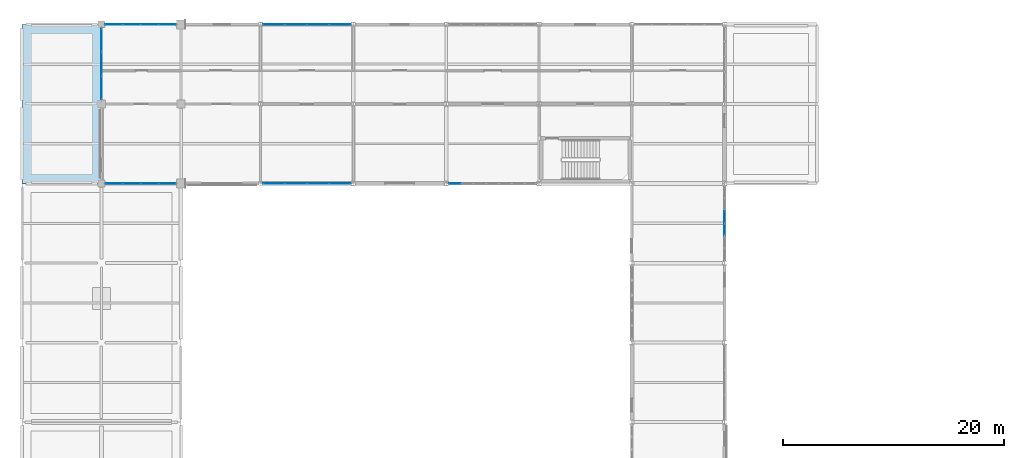
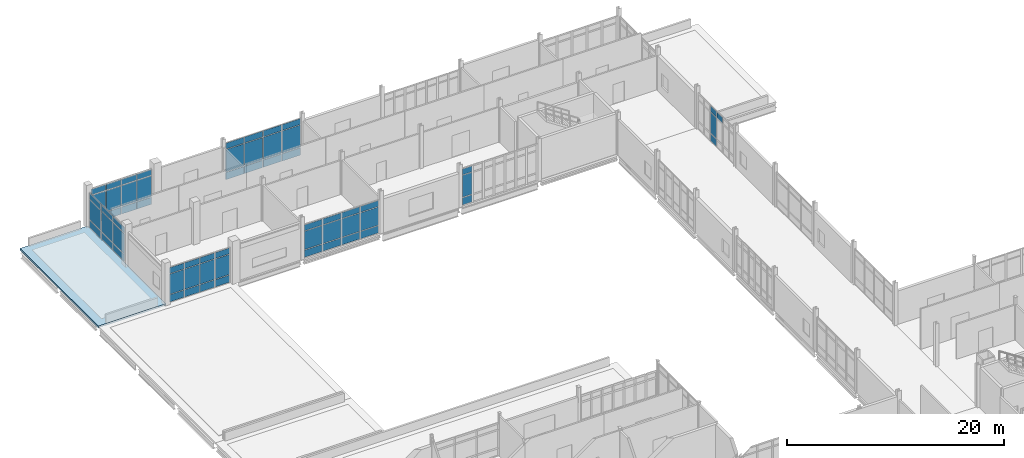
# One storey, part 128 of 186: 64 plates, 1 slab, 7 elements without a shape of their own.
"""IFC4 building model written with IfcOpenShell, lengths in metres."""

import ifcopenshell
import ifcopenshell.guid

model = None  # the IFC model being written
_history = None  # IfcOwnerHistory: only IFC2X3 demands one
_inside = {}  # id of a spatial element -> (the spatial element, [elements in it])
_under = {}  # id of a project, library or spatial element -> (it, [spatial elements below it])
_declared = {}  # id of a project -> (the project, [libraries it declares])
_typed = {}  # id of a type object -> (the type object, [elements of that type])
_made_of = {}  # id of a material, layer set ... -> (it, [elements and type objects made of it])


def new_model(schema):
    """Start an empty IFC model of exactly this schema.

    Asked for "IFC4X3", IfcOpenShell would pick the latest addendum, in which some entities
    have other attributes; the version numbers below select the first issue.
    IFC2X3 requires an IfcOwnerHistory on every rooted entity: one is made here for all.
    """
    global model, _history
    if schema == "IFC4X3":
        model = ifcopenshell.file(schema_version=(4, 3, 0, 0))
    else:
        model = ifcopenshell.file(schema=schema)
    _inside.clear()
    _under.clear()
    _declared.clear()
    _typed.clear()
    _made_of.clear()
    _history = None
    if model.schema == "IFC2X3":
        org = make("IfcOrganization", Name="unknown")
        user = make(
            "IfcPersonAndOrganization",
            ThePerson=make("IfcPerson", FamilyName="unknown"),
            TheOrganization=org,
        )
        app = make(
            "IfcApplication",
            ApplicationDeveloper=org,
            Version="unknown",
            ApplicationFullName="unknown",
            ApplicationIdentifier="unknown",
        )
        _history = make(
            "IfcOwnerHistory",
            OwningUser=user,
            OwningApplication=app,
            ChangeAction="ADDED",
            CreationDate=0,
        )
    return model


def make(cls, **values):
    """One entity of the class cls with the attributes given. An attribute that is None is left unset."""
    return model.create_entity(
        cls, **{name: value for name, value in values.items() if value is not None}
    )


def rooted(cls, **values):
    """An entity with a GlobalId (a new one), such as an element, a storey or a relation."""
    return make(cls, GlobalId=ifcopenshell.guid.new(), OwnerHistory=_history, **values)


def si_unit(unit_type, name, prefix=None):
    """IfcSIUnit, for example si_unit("LENGTHUNIT", "METRE", prefix="MILLI")."""
    return make("IfcSIUnit", UnitType=unit_type, Prefix=prefix, Name=name)


def assignment(units):
    """IfcUnitAssignment: the units of a project."""
    return None if units is None else make("IfcUnitAssignment", Units=units)


def point(xyz):
    """IfcCartesianPoint."""
    return None if xyz is None else make("IfcCartesianPoint", Coordinates=xyz)


def direction(xyz):
    """IfcDirection."""
    return None if xyz is None else make("IfcDirection", DirectionRatios=xyz)


def frame(location, z_axis=None, x_axis=None):
    """IfcAxis2Placement3D, a coordinate frame: its origin and axes. An axis left out is left unset."""
    return make(
        "IfcAxis2Placement3D",
        Location=point(location),
        Axis=direction(z_axis),
        RefDirection=direction(x_axis),
    )


def frame_2d(location, x_axis=None):
    """IfcAxis2Placement2D, a coordinate frame in the plane: its origin and x axis."""
    return make(
        "IfcAxis2Placement2D", Location=point(location), RefDirection=direction(x_axis)
    )


def origin():
    """The frame at (0, 0, 0) with its axes left unset."""
    return frame((0.0, 0.0, 0.0))


def origin_2d():
    """The frame at (0, 0) in the plane with its x axis left unset."""
    return frame_2d((0.0, 0.0))


def place(relative_to, where):
    """IfcLocalPlacement: puts the frame where relative to a parent placement (None: the world)."""
    return make(
        "IfcLocalPlacement", PlacementRelTo=relative_to, RelativePlacement=where
    )


def context(
    kind, dimensions, precision=None, world=None, true_north=None, identifier=None
):
    """IfcGeometricRepresentationContext, for example the 3D "Model" context."""
    return make(
        "IfcGeometricRepresentationContext",
        ContextIdentifier=identifier,
        ContextType=kind,
        CoordinateSpaceDimension=dimensions,
        Precision=precision,
        WorldCoordinateSystem=world,
        TrueNorth=true_north,
    )


def subcontext(parent, identifier, kind, view, scale=None):
    """IfcGeometricRepresentationSubContext, for example "Body" below "Model"."""
    return make(
        "IfcGeometricRepresentationSubContext",
        ContextIdentifier=identifier,
        ContextType=kind,
        ParentContext=parent,
        TargetScale=scale,
        TargetView=view,
    )


def project(units=None, contexts=None):
    """IfcProject with its units and contexts."""
    return rooted(
        "IfcProject",
        Name="project",
        RepresentationContexts=contexts,
        UnitsInContext=assignment(units),
    )


def spatial(cls, under=None, at=None, **own):
    """A site, building, storey or space (cls), placed at a placement, below another one or the project."""
    s = rooted(cls, ObjectPlacement=at, **own)
    if under is not None:
        _under.setdefault(under.id(), (under, []))[1].append(s)
    return s


def polyline(points):
    """IfcPolyline through the points."""
    return make("IfcPolyline", Points=[point(p) for p in points])


def profile(cls, at=None, kind="AREA", **sizes):
    """A parametric profile (cls). Its sizes go by their IFC names, for example OverallWidth=200.0."""
    return make(cls, ProfileType=kind, Position=at, **sizes)


def rectangle(**sizes):
    """IfcRectangleProfileDef."""
    return profile("IfcRectangleProfileDef", **sizes)


def outline(outer, holes=None, kind="AREA"):
    """IfcArbitraryClosedProfileDef: a profile drawn as a closed curve; with holes, ...WithVoids."""
    if holes is None:
        return make("IfcArbitraryClosedProfileDef", ProfileType=kind, OuterCurve=outer)
    return make(
        "IfcArbitraryProfileDefWithVoids",
        ProfileType=kind,
        OuterCurve=outer,
        InnerCurves=holes,
    )


def extrude(swept, where, along, depth):
    """IfcExtrudedAreaSolid: the profile swept, set in the frame where, extruded along a direction by depth."""
    return make(
        "IfcExtrudedAreaSolid",
        SweptArea=swept,
        Position=where,
        ExtrudedDirection=direction(along),
        Depth=depth,
    )


def shape(context_of_items, identifier, shape_type, items):
    """IfcShapeRepresentation: the items that make up one representation, for example the "Body"."""
    return make(
        "IfcShapeRepresentation",
        ContextOfItems=context_of_items,
        RepresentationIdentifier=identifier,
        RepresentationType=shape_type,
        Items=items,
    )


def material(Name=None, Category=None):
    """IfcMaterial."""
    return make("IfcMaterial", Name=Name, Category=Category)


def layer(
    of_material, thickness, ventilated=None, Name=None, Category=None, Priority=None
):
    """IfcMaterialLayer: one layer of a wall or slab, of a material (None: an air gap)."""
    return make(
        "IfcMaterialLayer",
        Material=of_material,
        LayerThickness=thickness,
        IsVentilated=ventilated,
        Name=Name,
        Category=Category,
        Priority=Priority,
    )


def layer_set(layers, Name=None):
    """IfcMaterialLayerSet."""
    return make("IfcMaterialLayerSet", MaterialLayers=layers, LayerSetName=Name)


def made_of(thing, what):
    """Note that an element or type object is made of a material, layer set ...; save() writes the relation."""
    if what is not None:
        _made_of.setdefault(what.id(), (what, []))[1].append(thing)
    return thing


def type_object(cls, material=None, **own):
    """A type object (cls), such as IfcWallType, which elements share."""
    return made_of(rooted(cls, **own), material)


def element(
    cls,
    number,
    at=None,
    inside=None,
    cuts=None,
    type_object=None,
    material=None,
    context=None,
    identifier="Body",
    shape_type=None,
    held_by="IfcProductDefinitionShape",
    body=None,
    shapes=None,
    **own,
):
    """One element of the class cls, such as IfcWall. Its Tag is "e" and its number.

    at: its placement. inside: the storey or other place that contains it. cuts: it is an
    opening in that element (IfcRelVoidsElement). A single representation is given by context,
    identifier, shape_type and body (its items); several are given by shapes. held_by: the class
    of the entity that holds the representations. save() writes the other relations.
    """
    e = rooted(cls, Tag="e%d" % number, ObjectPlacement=at, **own)
    if body is not None:
        shapes = [shape(context, identifier, shape_type, body)]
    if shapes is not None:
        e.Representation = make(held_by, Representations=shapes)
    if inside is not None:
        _inside.setdefault(inside.id(), (inside, []))[1].append(e)
    if cuts is not None:
        rooted(
            "IfcRelVoidsElement", RelatingBuildingElement=cuts, RelatedOpeningElement=e
        )
    if type_object is not None:
        _typed.setdefault(type_object.id(), (type_object, []))[1].append(e)
    return made_of(e, material)


def aggregate(whole, parts):
    """IfcRelAggregates: a whole, such as a stair, and the parts it consists of."""
    return rooted("IfcRelAggregates", RelatingObject=whole, RelatedObjects=parts)


def save(model, path):
    """Write the relations noted so far, then the file.

    IfcRelAggregates (storeys below a building ...), IfcRelContainedInSpatialStructure (elements
    in a storey), IfcRelDefinesByType, IfcRelAssociatesMaterial and IfcRelDeclares: one each for
    every whole, place, type object, material and project.
    """
    for whole, parts in _under.values():
        aggregate(whole, parts)
    for where, things in _inside.values():
        rooted(
            "IfcRelContainedInSpatialStructure",
            RelatedElements=things,
            RelatingStructure=where,
        )
    for kind, things in _typed.values():
        rooted("IfcRelDefinesByType", RelatedObjects=things, RelatingType=kind)
    for what, things in _made_of.values():
        rooted("IfcRelAssociatesMaterial", RelatedObjects=things, RelatingMaterial=what)
    for by, libraries in _declared.values():
        rooted("IfcRelDeclares", RelatingContext=by, RelatedDefinitions=libraries)
    model.write(path)


model = new_model("IFC4")

# Units and contexts
model_context = context("Model", 3, precision=1e-05, world=origin(), true_north=direction((0.0, 1.0)))
body_context = subcontext(model_context, "Body", "Model", "MODEL_VIEW")
ifc_project = project(units=[si_unit("LENGTHUNIT", "METRE"), si_unit("AREAUNIT", "SQUARE_METRE"), si_unit("VOLUMEUNIT", "CUBIC_METRE"), si_unit("PLANEANGLEUNIT", "RADIAN"), si_unit("MASSUNIT", "GRAM", prefix="KILO")], contexts=[model_context])

# Site, building, storey
site_placement = place(None, origin())
site = spatial("IfcSite", under=ifc_project, at=site_placement, CompositionType="ELEMENT")
building_placement = place(site_placement, origin())
building = spatial("IfcBuilding", under=site, at=building_placement, Name="Calvrana Isthmian Art Gallery", CompositionType="ELEMENT")
storey_placement = place(building_placement, frame((0.0, 0.0, 5.39990234375)))
storey = spatial("IfcBuildingStorey", under=building, at=storey_placement, Name="L01", CompositionType="ELEMENT", Elevation=5.39990234375)

# Curtain wall, plates
ifc_material_1 = material(Name="Anodized bronze aluminium 6063-T6", Category="aluminium")
ifc_layer_1 = layer(ifc_material_1, 0.179931640625, Name="Anodized bronze aluminium 6063-T6")
ifc_layer_set_1 = layer_set([ifc_layer_1], Name="Anodized bronze aluminium 6063-T6")
curtain_wall_type_1 = type_object("IfcCurtainWallType", Name="CW-STICK-065X40", PredefinedType="NOTDEFINED", material=ifc_layer_set_1)
curtain_wall_1_placement = place(storey_placement, origin())
curtain_wall_1 = element("IfcCurtainWall", 1, at=curtain_wall_1_placement, inside=storey, type_object=curtain_wall_type_1, Name="Curtain wall CW-110", PredefinedType="NOTDEFINED")
ifc_material_2 = material(Name="Polychrome glazed terracotta", Category="masonry")
ifc_layer_2 = layer(ifc_material_2, 0.033935546875, Name="Polychrome glazed terracotta")
ifc_layer_set_2 = layer_set([ifc_layer_2], Name="Polychrome glazed terracotta")
plate_type_1 = type_object("IfcPlateType", Name="CWP-SPANDREL-34", PredefinedType="CURTAIN_PANEL", material=ifc_layer_set_2)
plate_1_placement = place(storey_placement, frame((13.171142578125, 98.39990234375, 0.06005859375), z_axis=(0.0, 0.0, 1.0), x_axis=(-1.0, 0.0, 0.0)))
plate_1 = element("IfcPlate", 2, at=plate_1_placement, type_object=plate_type_1, Name="CW-110 panel 1.1", PredefinedType="CURTAIN_PANEL", context=body_context, shape_type="SweptSolid", body=[
    extrude(rectangle(XDim=1.527587890625, YDim=0.033935546875, at=origin_2d()), origin(), (0.0, 0.0, 1.0), 0.81005859375),
])
plate_2_placement = place(storey_placement, frame((13.171142578125, 98.39990234375, 0.93017578125), z_axis=(0.0, 0.0, 1.0), x_axis=(-1.0, 0.0, 0.0)))
plate_2 = element("IfcPlate", 3, at=plate_2_placement, type_object=plate_type_1, Name="CW-110 panel 1.2", PredefinedType="CURTAIN_PANEL", context=body_context, shape_type="SweptSolid", body=[
    extrude(rectangle(XDim=1.527587890625, YDim=0.033935546875, at=origin_2d()), origin(), (0.0, 0.0, 1.0), 2.260986328125),
])
plate_3_placement = place(storey_placement, frame((13.171142578125, 98.39990234375, 3.2509765625), z_axis=(0.0, 0.0, 1.0), x_axis=(-1.0, 0.0, 0.0)))
plate_3 = element("IfcPlate", 4, at=plate_3_placement, type_object=plate_type_1, Name="CW-110 panel 1.3", PredefinedType="CURTAIN_PANEL", context=body_context, shape_type="SweptSolid", body=[
    extrude(rectangle(XDim=1.527587890625, YDim=0.033935546875, at=origin_2d()), origin(), (0.0, 0.0, 1.0), 0.659912109375),
])
plate_4_placement = place(storey_placement, frame((11.5625, 98.39990234375, 0.06005859375), z_axis=(0.0, 0.0, 1.0), x_axis=(-1.0, 0.0, 0.0)))
plate_4 = element("IfcPlate", 5, at=plate_4_placement, type_object=plate_type_1, Name="CW-110 panel 2.1", PredefinedType="CURTAIN_PANEL", context=body_context, shape_type="SweptSolid", body=[
    extrude(rectangle(XDim=1.56005859375, YDim=0.033935546875, at=origin_2d()), origin(), (0.0, 0.0, 1.0), 0.81005859375),
])
plate_5_placement = place(storey_placement, frame((11.5625, 98.39990234375, 0.93017578125), z_axis=(0.0, 0.0, 1.0), x_axis=(-1.0, 0.0, 0.0)))
plate_5 = element("IfcPlate", 6, at=plate_5_placement, type_object=plate_type_1, Name="CW-110 panel 2.2", PredefinedType="CURTAIN_PANEL", context=body_context, shape_type="SweptSolid", body=[
    extrude(rectangle(XDim=1.56005859375, YDim=0.033935546875, at=origin_2d()), origin(), (0.0, 0.0, 1.0), 2.260986328125),
])
plate_6_placement = place(storey_placement, frame((11.5625, 98.39990234375, 3.2509765625), z_axis=(0.0, 0.0, 1.0), x_axis=(-1.0, 0.0, 0.0)))
plate_6 = element("IfcPlate", 7, at=plate_6_placement, type_object=plate_type_1, Name="CW-110 panel 2.3", PredefinedType="CURTAIN_PANEL", context=body_context, shape_type="SweptSolid", body=[
    extrude(rectangle(XDim=1.56005859375, YDim=0.033935546875, at=origin_2d()), origin(), (0.0, 0.0, 1.0), 0.659912109375),
])
plate_7_placement = place(storey_placement, frame((9.9375, 98.39990234375, 0.06005859375), z_axis=(0.0, 0.0, 1.0), x_axis=(-1.0, 0.0, 0.0)))
plate_7 = element("IfcPlate", 8, at=plate_7_placement, type_object=plate_type_1, Name="CW-110 panel 3.1", PredefinedType="CURTAIN_PANEL", context=body_context, shape_type="SweptSolid", body=[
    extrude(rectangle(XDim=1.56005859375, YDim=0.033935546875, at=origin_2d()), origin(), (0.0, 0.0, 1.0), 0.81005859375),
])
plate_8_placement = place(storey_placement, frame((9.9375, 98.39990234375, 0.93017578125), z_axis=(0.0, 0.0, 1.0), x_axis=(-1.0, 0.0, 0.0)))
plate_8 = element("IfcPlate", 9, at=plate_8_placement, type_object=plate_type_1, Name="CW-110 panel 3.2", PredefinedType="CURTAIN_PANEL", context=body_context, shape_type="SweptSolid", body=[
    extrude(rectangle(XDim=1.56005859375, YDim=0.033935546875, at=origin_2d()), origin(), (0.0, 0.0, 1.0), 2.260986328125),
])
plate_9_placement = place(storey_placement, frame((9.9375, 98.39990234375, 3.2509765625), z_axis=(0.0, 0.0, 1.0), x_axis=(-1.0, 0.0, 0.0)))
plate_9 = element("IfcPlate", 10, at=plate_9_placement, type_object=plate_type_1, Name="CW-110 panel 3.3", PredefinedType="CURTAIN_PANEL", context=body_context, shape_type="SweptSolid", body=[
    extrude(rectangle(XDim=1.56005859375, YDim=0.033935546875, at=origin_2d()), origin(), (0.0, 0.0, 1.0), 0.659912109375),
])
plate_10_placement = place(storey_placement, frame((8.328857421875, 98.39990234375, 0.06005859375), z_axis=(0.0, 0.0, 1.0), x_axis=(-1.0, 0.0, 0.0)))
plate_10 = element("IfcPlate", 11, at=plate_10_placement, type_object=plate_type_1, Name="CW-110 panel 4.1", PredefinedType="CURTAIN_PANEL", context=body_context, shape_type="SweptSolid", body=[
    extrude(rectangle(XDim=1.527587890625, YDim=0.033935546875, at=origin_2d()), origin(), (0.0, 0.0, 1.0), 0.81005859375),
])
plate_11_placement = place(storey_placement, frame((8.328857421875, 98.39990234375, 0.93017578125), z_axis=(0.0, 0.0, 1.0), x_axis=(-1.0, 0.0, 0.0)))
plate_11 = element("IfcPlate", 12, at=plate_11_placement, type_object=plate_type_1, Name="CW-110 panel 4.2", PredefinedType="CURTAIN_PANEL", context=body_context, shape_type="SweptSolid", body=[
    extrude(rectangle(XDim=1.527587890625, YDim=0.033935546875, at=origin_2d()), origin(), (0.0, 0.0, 1.0), 2.260986328125),
])
plate_12_placement = place(storey_placement, frame((8.328857421875, 98.39990234375, 3.2509765625), z_axis=(0.0, 0.0, 1.0), x_axis=(-1.0, 0.0, 0.0)))
plate_12 = element("IfcPlate", 13, at=plate_12_placement, type_object=plate_type_1, Name="CW-110 panel 4.3", PredefinedType="CURTAIN_PANEL", context=body_context, shape_type="SweptSolid", body=[
    extrude(rectangle(XDim=1.527587890625, YDim=0.033935546875, at=origin_2d()), origin(), (0.0, 0.0, 1.0), 0.659912109375),
])
aggregate(curtain_wall_1, [plate_1, plate_2, plate_3, plate_4, plate_5, plate_6, plate_7, plate_8, plate_9, plate_10, plate_11, plate_12])

ifc_layer_3 = layer(ifc_material_1, 0.179931640625, Name="Anodized bronze aluminium 6063-T6")
ifc_layer_set_3 = layer_set([ifc_layer_3], Name="Anodized bronze aluminium 6063-T6")
curtain_wall_type_2 = type_object("IfcCurtainWallType", Name="CW-UNIT-080X42", PredefinedType="USERDEFINED", material=ifc_layer_set_3)
curtain_wall_2_placement = place(storey_placement, origin())
curtain_wall_2 = element("IfcCurtainWall", 14, at=curtain_wall_2_placement, inside=storey, type_object=curtain_wall_type_2, Name="Curtain wall CW-115", ObjectType="UNITISED CURTAIN WALL", PredefinedType="USERDEFINED")
plate_13_placement = place(storey_placement, frame((22.804931640625, 112.800048828125, 0.06005859375), z_axis=(0.0, 0.0, 1.0), x_axis=(1.0, 0.0, 0.0)))
plate_13 = element("IfcPlate", 15, at=plate_13_placement, type_object=plate_type_1, Name="CW-115 panel 1.1", PredefinedType="CURTAIN_PANEL", context=body_context, shape_type="SweptSolid", body=[
    extrude(rectangle(XDim=1.9169921875, YDim=0.033935546875, at=origin_2d()), origin(), (0.0, 0.0, 1.0), 0.81005859375),
])
plate_14_placement = place(storey_placement, frame((22.804931640625, 112.800048828125, 0.93017578125), z_axis=(0.0, 0.0, 1.0), x_axis=(1.0, 0.0, 0.0)))
plate_14 = element("IfcPlate", 16, at=plate_14_placement, type_object=plate_type_1, Name="CW-115 panel 1.2", PredefinedType="CURTAIN_PANEL", context=body_context, shape_type="SweptSolid", body=[
    extrude(rectangle(XDim=1.9169921875, YDim=0.033935546875, at=origin_2d()), origin(), (0.0, 0.0, 1.0), 2.505126953125),
])
plate_15_placement = place(storey_placement, frame((22.804931640625, 112.800048828125, 3.4951171875), z_axis=(0.0, 0.0, 1.0), x_axis=(1.0, 0.0, 0.0)))
plate_15 = element("IfcPlate", 17, at=plate_15_placement, type_object=plate_type_1, Name="CW-115 panel 1.3", PredefinedType="CURTAIN_PANEL", context=body_context, shape_type="SweptSolid", body=[
    extrude(rectangle(XDim=1.9169921875, YDim=0.033935546875, at=origin_2d()), origin(), (0.0, 0.0, 1.0), 0.659912109375),
])
plate_16_placement = place(storey_placement, frame((24.797119140625, 112.800048828125, 0.06005859375), z_axis=(0.0, 0.0, 1.0), x_axis=(1.0, 0.0, 0.0)))
plate_16 = element("IfcPlate", 18, at=plate_16_placement, type_object=plate_type_1, Name="CW-115 panel 2.1", PredefinedType="CURTAIN_PANEL", context=body_context, shape_type="SweptSolid", body=[
    extrude(rectangle(XDim=1.947021484375, YDim=0.033935546875, at=origin_2d()), origin(), (0.0, 0.0, 1.0), 0.81005859375),
])
plate_17_placement = place(storey_placement, frame((24.797119140625, 112.800048828125, 0.93017578125), z_axis=(0.0, 0.0, 1.0), x_axis=(1.0, 0.0, 0.0)))
plate_17 = element("IfcPlate", 19, at=plate_17_placement, type_object=plate_type_1, Name="CW-115 panel 2.2", PredefinedType="CURTAIN_PANEL", context=body_context, shape_type="SweptSolid", body=[
    extrude(rectangle(XDim=1.947021484375, YDim=0.033935546875, at=origin_2d()), origin(), (0.0, 0.0, 1.0), 2.505126953125),
])
plate_18_placement = place(storey_placement, frame((24.797119140625, 112.800048828125, 3.4951171875), z_axis=(0.0, 0.0, 1.0), x_axis=(1.0, 0.0, 0.0)))
plate_18 = element("IfcPlate", 20, at=plate_18_placement, type_object=plate_type_1, Name="CW-115 panel 2.3", PredefinedType="CURTAIN_PANEL", context=body_context, shape_type="SweptSolid", body=[
    extrude(rectangle(XDim=1.947021484375, YDim=0.033935546875, at=origin_2d()), origin(), (0.0, 0.0, 1.0), 0.659912109375),
])
plate_19_placement = place(storey_placement, frame((26.803955078125, 112.800048828125, 0.06005859375), z_axis=(0.0, 0.0, 1.0), x_axis=(1.0, 0.0, 0.0)))
plate_19 = element("IfcPlate", 21, at=plate_19_placement, type_object=plate_type_1, Name="CW-115 panel 3.1", PredefinedType="CURTAIN_PANEL", context=body_context, shape_type="SweptSolid", body=[
    extrude(rectangle(XDim=1.947021484375, YDim=0.033935546875, at=origin_2d()), origin(), (0.0, 0.0, 1.0), 0.81005859375),
])
plate_20_placement = place(storey_placement, frame((26.803955078125, 112.800048828125, 0.93017578125), z_axis=(0.0, 0.0, 1.0), x_axis=(1.0, 0.0, 0.0)))
plate_20 = element("IfcPlate", 22, at=plate_20_placement, type_object=plate_type_1, Name="CW-115 panel 3.2", PredefinedType="CURTAIN_PANEL", context=body_context, shape_type="SweptSolid", body=[
    extrude(rectangle(XDim=1.947021484375, YDim=0.033935546875, at=origin_2d()), origin(), (0.0, 0.0, 1.0), 2.505126953125),
])
plate_21_placement = place(storey_placement, frame((26.803955078125, 112.800048828125, 3.4951171875), z_axis=(0.0, 0.0, 1.0), x_axis=(1.0, 0.0, 0.0)))
plate_21 = element("IfcPlate", 23, at=plate_21_placement, type_object=plate_type_1, Name="CW-115 panel 3.3", PredefinedType="CURTAIN_PANEL", context=body_context, shape_type="SweptSolid", body=[
    extrude(rectangle(XDim=1.947021484375, YDim=0.033935546875, at=origin_2d()), origin(), (0.0, 0.0, 1.0), 0.659912109375),
])
plate_22_placement = place(storey_placement, frame((28.7958984375, 112.800048828125, 0.06005859375), z_axis=(0.0, 0.0, 1.0), x_axis=(1.0, 0.0, 0.0)))
plate_22 = element("IfcPlate", 24, at=plate_22_placement, type_object=plate_type_1, Name="CW-115 panel 4.1", PredefinedType="CURTAIN_PANEL", context=body_context, shape_type="SweptSolid", body=[
    extrude(rectangle(XDim=1.9169921875, YDim=0.033935546875, at=origin_2d()), origin(), (0.0, 0.0, 1.0), 0.81005859375),
])
plate_23_placement = place(storey_placement, frame((28.7958984375, 112.800048828125, 0.93017578125), z_axis=(0.0, 0.0, 1.0), x_axis=(1.0, 0.0, 0.0)))
plate_23 = element("IfcPlate", 25, at=plate_23_placement, type_object=plate_type_1, Name="CW-115 panel 4.2", PredefinedType="CURTAIN_PANEL", context=body_context, shape_type="SweptSolid", body=[
    extrude(rectangle(XDim=1.9169921875, YDim=0.033935546875, at=origin_2d()), origin(), (0.0, 0.0, 1.0), 2.505126953125),
])
plate_24_placement = place(storey_placement, frame((28.7958984375, 112.800048828125, 3.4951171875), z_axis=(0.0, 0.0, 1.0), x_axis=(1.0, 0.0, 0.0)))
plate_24 = element("IfcPlate", 26, at=plate_24_placement, type_object=plate_type_1, Name="CW-115 panel 4.3", PredefinedType="CURTAIN_PANEL", context=body_context, shape_type="SweptSolid", body=[
    extrude(rectangle(XDim=1.9169921875, YDim=0.033935546875, at=origin_2d()), origin(), (0.0, 0.0, 1.0), 0.659912109375),
])
aggregate(curtain_wall_2, [plate_13, plate_14, plate_15, plate_16, plate_17, plate_18, plate_19, plate_20, plate_21, plate_22, plate_23, plate_24])

ifc_layer_4 = layer(ifc_material_1, 0.179931640625, Name="Anodized bronze aluminium 6063-T6")
ifc_layer_set_4 = layer_set([ifc_layer_4], Name="Anodized bronze aluminium 6063-T6")
curtain_wall_type_3 = type_object("IfcCurtainWallType", Name="CW-UNIT-080X38", PredefinedType="USERDEFINED", material=ifc_layer_set_4)
curtain_wall_3_placement = place(storey_placement, origin())
curtain_wall_3 = element("IfcCurtainWall", 27, at=curtain_wall_3_placement, inside=storey, type_object=curtain_wall_type_3, Name="Curtain wall CW-111", ObjectType="UNITISED CURTAIN WALL", PredefinedType="USERDEFINED")
ifc_material_3 = material(Name="Low-E laminated solar glass", Category="glass")
ifc_layer_5 = layer(ifc_material_3, 0.028076171875, Name="Low-E laminated solar glass")
ifc_layer_set_5 = layer_set([ifc_layer_5], Name="Low-E laminated solar glass")
plate_type_2 = type_object("IfcPlateType", Name="CWP-VISION-28", PredefinedType="CURTAIN_PANEL", material=ifc_layer_set_5)
plate_25_placement = place(storey_placement, frame((28.792236328125, 98.39990234375, 0.06005859375), z_axis=(0.0, 0.0, 1.0), x_axis=(-1.0, 0.0, 0.0)))
plate_25 = element("IfcPlate", 28, at=plate_25_placement, type_object=plate_type_2, Name="CW-111 panel 1.1", PredefinedType="CURTAIN_PANEL", context=body_context, shape_type="SweptSolid", body=[
    extrude(rectangle(XDim=1.90234375, YDim=0.028076171875, at=origin_2d()), origin(), (0.0, 0.0, 1.0), 0.81005859375),
])
plate_26_placement = place(storey_placement, frame((28.792236328125, 98.39990234375, 0.93017578125), z_axis=(0.0, 0.0, 1.0), x_axis=(-1.0, 0.0, 0.0)))
plate_26 = element("IfcPlate", 29, at=plate_26_placement, type_object=plate_type_2, Name="CW-111 panel 1.2", PredefinedType="CURTAIN_PANEL", context=body_context, shape_type="SweptSolid", body=[
    extrude(rectangle(XDim=1.90234375, YDim=0.028076171875, at=origin_2d()), origin(), (0.0, 0.0, 1.0), 2.048095703125),
])
plate_27_placement = place(storey_placement, frame((28.792236328125, 98.39990234375, 3.0380859375), z_axis=(0.0, 0.0, 1.0), x_axis=(-1.0, 0.0, 0.0)))
plate_27 = element("IfcPlate", 30, at=plate_27_placement, type_object=plate_type_2, Name="CW-111 panel 1.3", PredefinedType="CURTAIN_PANEL", context=body_context, shape_type="SweptSolid", body=[
    extrude(rectangle(XDim=1.90234375, YDim=0.028076171875, at=origin_2d()), origin(), (0.0, 0.0, 1.0), 0.659912109375),
])
plate_28_placement = place(storey_placement, frame((26.802490234375, 98.39990234375, 0.06005859375), z_axis=(0.0, 0.0, 1.0), x_axis=(-1.0, 0.0, 0.0)))
plate_28 = element("IfcPlate", 31, at=plate_28_placement, type_object=plate_type_2, Name="CW-111 panel 2.1", PredefinedType="CURTAIN_PANEL", context=body_context, shape_type="SweptSolid", body=[
    extrude(rectangle(XDim=1.937255859375, YDim=0.028076171875, at=origin_2d()), origin(), (0.0, 0.0, 1.0), 0.81005859375),
])
plate_29_placement = place(storey_placement, frame((26.802490234375, 98.39990234375, 0.93017578125), z_axis=(0.0, 0.0, 1.0), x_axis=(-1.0, 0.0, 0.0)))
plate_29 = element("IfcPlate", 32, at=plate_29_placement, type_object=plate_type_2, Name="CW-111 panel 2.2", PredefinedType="CURTAIN_PANEL", context=body_context, shape_type="SweptSolid", body=[
    extrude(rectangle(XDim=1.937255859375, YDim=0.028076171875, at=origin_2d()), origin(), (0.0, 0.0, 1.0), 2.048095703125),
])
plate_30_placement = place(storey_placement, frame((26.802490234375, 98.39990234375, 3.0380859375), z_axis=(0.0, 0.0, 1.0), x_axis=(-1.0, 0.0, 0.0)))
plate_30 = element("IfcPlate", 33, at=plate_30_placement, type_object=plate_type_2, Name="CW-111 panel 2.3", PredefinedType="CURTAIN_PANEL", context=body_context, shape_type="SweptSolid", body=[
    extrude(rectangle(XDim=1.937255859375, YDim=0.028076171875, at=origin_2d()), origin(), (0.0, 0.0, 1.0), 0.659912109375),
])
plate_31_placement = place(storey_placement, frame((24.795166015625, 98.39990234375, 0.06005859375), z_axis=(0.0, 0.0, 1.0), x_axis=(-1.0, 0.0, 0.0)))
plate_31 = element("IfcPlate", 34, at=plate_31_placement, type_object=plate_type_2, Name="CW-111 panel 3.1", PredefinedType="CURTAIN_PANEL", context=body_context, shape_type="SweptSolid", body=[
    extrude(rectangle(XDim=1.937255859375, YDim=0.028076171875, at=origin_2d()), origin(), (0.0, 0.0, 1.0), 0.81005859375),
])
plate_32_placement = place(storey_placement, frame((24.795166015625, 98.39990234375, 0.93017578125), z_axis=(0.0, 0.0, 1.0), x_axis=(-1.0, 0.0, 0.0)))
plate_32 = element("IfcPlate", 35, at=plate_32_placement, type_object=plate_type_2, Name="CW-111 panel 3.2", PredefinedType="CURTAIN_PANEL", context=body_context, shape_type="SweptSolid", body=[
    extrude(rectangle(XDim=1.937255859375, YDim=0.028076171875, at=origin_2d()), origin(), (0.0, 0.0, 1.0), 2.048095703125),
])
plate_33_placement = place(storey_placement, frame((24.795166015625, 98.39990234375, 3.0380859375), z_axis=(0.0, 0.0, 1.0), x_axis=(-1.0, 0.0, 0.0)))
plate_33 = element("IfcPlate", 36, at=plate_33_placement, type_object=plate_type_2, Name="CW-111 panel 3.3", PredefinedType="CURTAIN_PANEL", context=body_context, shape_type="SweptSolid", body=[
    extrude(rectangle(XDim=1.937255859375, YDim=0.028076171875, at=origin_2d()), origin(), (0.0, 0.0, 1.0), 0.659912109375),
])
plate_34_placement = place(storey_placement, frame((22.80517578125, 98.39990234375, 0.06005859375), z_axis=(0.0, 0.0, 1.0), x_axis=(-1.0, 0.0, 0.0)))
plate_34 = element("IfcPlate", 37, at=plate_34_placement, type_object=plate_type_2, Name="CW-111 panel 4.1", PredefinedType="CURTAIN_PANEL", context=body_context, shape_type="SweptSolid", body=[
    extrude(rectangle(XDim=1.90234375, YDim=0.028076171875, at=origin_2d()), origin(), (0.0, 0.0, 1.0), 0.81005859375),
])
plate_35_placement = place(storey_placement, frame((22.80517578125, 98.39990234375, 0.93017578125), z_axis=(0.0, 0.0, 1.0), x_axis=(-1.0, 0.0, 0.0)))
plate_35 = element("IfcPlate", 38, at=plate_35_placement, type_object=plate_type_2, Name="CW-111 panel 4.2", PredefinedType="CURTAIN_PANEL", context=body_context, shape_type="SweptSolid", body=[
    extrude(rectangle(XDim=1.90234375, YDim=0.028076171875, at=origin_2d()), origin(), (0.0, 0.0, 1.0), 2.048095703125),
])
plate_36_placement = place(storey_placement, frame((22.80517578125, 98.39990234375, 3.0380859375), z_axis=(0.0, 0.0, 1.0), x_axis=(-1.0, 0.0, 0.0)))
plate_36 = element("IfcPlate", 39, at=plate_36_placement, type_object=plate_type_2, Name="CW-111 panel 4.3", PredefinedType="CURTAIN_PANEL", context=body_context, shape_type="SweptSolid", body=[
    extrude(rectangle(XDim=1.90234375, YDim=0.028076171875, at=origin_2d()), origin(), (0.0, 0.0, 1.0), 0.659912109375),
])
aggregate(curtain_wall_3, [plate_25, plate_26, plate_27, plate_28, plate_29, plate_30, plate_31, plate_32, plate_33, plate_34, plate_35, plate_36])

curtain_wall_4_placement = place(storey_placement, origin())
curtain_wall_4 = element("IfcCurtainWall", 40, at=curtain_wall_4_placement, inside=storey, type_object=curtain_wall_type_2, Name="Curtain wall CW-112", ObjectType="UNITISED CURTAIN WALL", PredefinedType="USERDEFINED")
plate_37_placement = place(storey_placement, frame((39.1787109375, 98.39990234375, 0.06494140625), z_axis=(0.0, 0.0, 1.0), x_axis=(-1.0, 0.0, 0.0)))
plate_37 = element("IfcPlate", 41, at=plate_37_placement, type_object=plate_type_2, Name="CW-112 panel 7.1", PredefinedType="CURTAIN_PANEL", context=body_context, shape_type="SweptSolid", body=[
    extrude(rectangle(XDim=1.034423828125, YDim=0.028076171875, at=origin_2d()), origin(), (0.0, 0.0, 1.0), 0.802490234375),
])
plate_38_placement = place(storey_placement, frame((39.1787109375, 98.39990234375, 0.9326171875), z_axis=(0.0, 0.0, 1.0), x_axis=(-1.0, 0.0, 0.0)))
plate_38 = element("IfcPlate", 42, at=plate_38_placement, type_object=plate_type_2, Name="CW-112 panel 7.2", PredefinedType="CURTAIN_PANEL", context=body_context, shape_type="SweptSolid", body=[
    extrude(rectangle(XDim=1.034423828125, YDim=0.028076171875, at=origin_2d()), origin(), (0.0, 0.0, 1.0), 2.448974609375),
])
plate_39_placement = place(storey_placement, frame((39.1787109375, 98.39990234375, 3.44677734375), z_axis=(0.0, 0.0, 1.0), x_axis=(-1.0, 0.0, 0.0)))
plate_39 = element("IfcPlate", 43, at=plate_39_placement, type_object=plate_type_2, Name="CW-112 panel 7.3", PredefinedType="CURTAIN_PANEL", context=body_context, shape_type="SweptSolid", body=[
    extrude(rectangle(XDim=1.034423828125, YDim=0.028076171875, at=origin_2d()), origin(), (0.0, 0.0, 1.0), 0.652587890625),
])
aggregate(curtain_wall_4, [plate_37, plate_38, plate_39])

ifc_layer_6 = layer(ifc_material_1, 0.179931640625, Name="Anodized bronze aluminium 6063-T6")
ifc_layer_set_6 = layer_set([ifc_layer_6], Name="Anodized bronze aluminium 6063-T6")
curtain_wall_type_4 = type_object("IfcCurtainWallType", Name="CW-UNIT-065X41", PredefinedType="USERDEFINED", material=ifc_layer_set_6)
curtain_wall_5_placement = place(storey_placement, origin())
curtain_wall_5 = element("IfcCurtainWall", 44, at=curtain_wall_5_placement, inside=storey, type_object=curtain_wall_type_4, Name="Curtain wall CW-114", ObjectType="UNITISED CURTAIN WALL", PredefinedType="USERDEFINED")
plate_40_placement = place(storey_placement, frame((8.327392578125, 112.800048828125, 0.074951171875), z_axis=(0.0, 0.0, 1.0), x_axis=(1.0, 0.0, 0.0)))
plate_40 = element("IfcPlate", 45, at=plate_40_placement, type_object=plate_type_2, Name="CW-114 panel 1.1", PredefinedType="CURTAIN_PANEL", context=body_context, shape_type="SweptSolid", body=[
    extrude(rectangle(XDim=1.534912109375, YDim=0.028076171875, at=origin_2d()), origin(), (0.0, 0.0, 1.0), 0.78759765625),
])
plate_41_placement = place(storey_placement, frame((8.327392578125, 112.800048828125, 0.9375), z_axis=(0.0, 0.0, 1.0), x_axis=(1.0, 0.0, 0.0)))
plate_41 = element("IfcPlate", 46, at=plate_41_placement, type_object=plate_type_2, Name="CW-114 panel 1.2", PredefinedType="CURTAIN_PANEL", context=body_context, shape_type="SweptSolid", body=[
    extrude(rectangle(XDim=1.534912109375, YDim=0.028076171875, at=origin_2d()), origin(), (0.0, 0.0, 1.0), 2.3330078125),
])
plate_42_placement = place(storey_placement, frame((8.327392578125, 112.800048828125, 3.345703125), z_axis=(0.0, 0.0, 1.0), x_axis=(1.0, 0.0, 0.0)))
plate_42 = element("IfcPlate", 47, at=plate_42_placement, type_object=plate_type_2, Name="CW-114 panel 1.3", PredefinedType="CURTAIN_PANEL", context=body_context, shape_type="SweptSolid", body=[
    extrude(rectangle(XDim=1.534912109375, YDim=0.028076171875, at=origin_2d()), origin(), (0.0, 0.0, 1.0), 0.637451171875),
])
plate_43_placement = place(storey_placement, frame((9.9375, 112.800048828125, 0.074951171875), z_axis=(0.0, 0.0, 1.0), x_axis=(1.0, 0.0, 0.0)))
plate_43 = element("IfcPlate", 48, at=plate_43_placement, type_object=plate_type_2, Name="CW-114 panel 2.1", PredefinedType="CURTAIN_PANEL", context=body_context, shape_type="SweptSolid", body=[
    extrude(rectangle(XDim=1.56494140625, YDim=0.028076171875, at=origin_2d()), origin(), (0.0, 0.0, 1.0), 0.78759765625),
])
plate_44_placement = place(storey_placement, frame((9.9375, 112.800048828125, 0.9375), z_axis=(0.0, 0.0, 1.0), x_axis=(1.0, 0.0, 0.0)))
plate_44 = element("IfcPlate", 49, at=plate_44_placement, type_object=plate_type_2, Name="CW-114 panel 2.2", PredefinedType="CURTAIN_PANEL", context=body_context, shape_type="SweptSolid", body=[
    extrude(rectangle(XDim=1.56494140625, YDim=0.028076171875, at=origin_2d()), origin(), (0.0, 0.0, 1.0), 2.3330078125),
])
plate_45_placement = place(storey_placement, frame((9.9375, 112.800048828125, 3.345703125), z_axis=(0.0, 0.0, 1.0), x_axis=(1.0, 0.0, 0.0)))
plate_45 = element("IfcPlate", 50, at=plate_45_placement, type_object=plate_type_2, Name="CW-114 panel 2.3", PredefinedType="CURTAIN_PANEL", context=body_context, shape_type="SweptSolid", body=[
    extrude(rectangle(XDim=1.56494140625, YDim=0.028076171875, at=origin_2d()), origin(), (0.0, 0.0, 1.0), 0.637451171875),
])
plate_46_placement = place(storey_placement, frame((11.5625, 112.800048828125, 0.074951171875), z_axis=(0.0, 0.0, 1.0), x_axis=(1.0, 0.0, 0.0)))
plate_46 = element("IfcPlate", 51, at=plate_46_placement, type_object=plate_type_2, Name="CW-114 panel 3.1", PredefinedType="CURTAIN_PANEL", context=body_context, shape_type="SweptSolid", body=[
    extrude(rectangle(XDim=1.56494140625, YDim=0.028076171875, at=origin_2d()), origin(), (0.0, 0.0, 1.0), 0.78759765625),
])
plate_47_placement = place(storey_placement, frame((11.5625, 112.800048828125, 0.9375), z_axis=(0.0, 0.0, 1.0), x_axis=(1.0, 0.0, 0.0)))
plate_47 = element("IfcPlate", 52, at=plate_47_placement, type_object=plate_type_2, Name="CW-114 panel 3.2", PredefinedType="CURTAIN_PANEL", context=body_context, shape_type="SweptSolid", body=[
    extrude(rectangle(XDim=1.56494140625, YDim=0.028076171875, at=origin_2d()), origin(), (0.0, 0.0, 1.0), 2.3330078125),
])
plate_48_placement = place(storey_placement, frame((11.5625, 112.800048828125, 3.345703125), z_axis=(0.0, 0.0, 1.0), x_axis=(1.0, 0.0, 0.0)))
plate_48 = element("IfcPlate", 53, at=plate_48_placement, type_object=plate_type_2, Name="CW-114 panel 3.3", PredefinedType="CURTAIN_PANEL", context=body_context, shape_type="SweptSolid", body=[
    extrude(rectangle(XDim=1.56494140625, YDim=0.028076171875, at=origin_2d()), origin(), (0.0, 0.0, 1.0), 0.637451171875),
])
plate_49_placement = place(storey_placement, frame((13.172607421875, 112.800048828125, 0.074951171875), z_axis=(0.0, 0.0, 1.0), x_axis=(1.0, 0.0, 0.0)))
plate_49 = element("IfcPlate", 54, at=plate_49_placement, type_object=plate_type_2, Name="CW-114 panel 4.1", PredefinedType="CURTAIN_PANEL", context=body_context, shape_type="SweptSolid", body=[
    extrude(rectangle(XDim=1.534912109375, YDim=0.028076171875, at=origin_2d()), origin(), (0.0, 0.0, 1.0), 0.78759765625),
])
plate_50_placement = place(storey_placement, frame((13.172607421875, 112.800048828125, 0.9375), z_axis=(0.0, 0.0, 1.0), x_axis=(1.0, 0.0, 0.0)))
plate_50 = element("IfcPlate", 55, at=plate_50_placement, type_object=plate_type_2, Name="CW-114 panel 4.2", PredefinedType="CURTAIN_PANEL", context=body_context, shape_type="SweptSolid", body=[
    extrude(rectangle(XDim=1.534912109375, YDim=0.028076171875, at=origin_2d()), origin(), (0.0, 0.0, 1.0), 2.3330078125),
])
plate_51_placement = place(storey_placement, frame((13.172607421875, 112.800048828125, 3.345703125), z_axis=(0.0, 0.0, 1.0), x_axis=(1.0, 0.0, 0.0)))
plate_51 = element("IfcPlate", 56, at=plate_51_placement, type_object=plate_type_2, Name="CW-114 panel 4.3", PredefinedType="CURTAIN_PANEL", context=body_context, shape_type="SweptSolid", body=[
    extrude(rectangle(XDim=1.534912109375, YDim=0.028076171875, at=origin_2d()), origin(), (0.0, 0.0, 1.0), 0.637451171875),
])
aggregate(curtain_wall_5, [plate_40, plate_41, plate_42, plate_43, plate_44, plate_45, plate_46, plate_47, plate_48, plate_49, plate_50, plate_51])

curtain_wall_6_placement = place(storey_placement, origin())
curtain_wall_6 = element("IfcCurtainWall", 57, at=curtain_wall_6_placement, inside=storey, type_object=curtain_wall_type_1, Name="Curtain wall CW-119", PredefinedType="NOTDEFINED")
plate_52_placement = place(storey_placement, frame((7.199951171875, 107.061767578125, 0.074951171875), z_axis=(0.0, 0.0, 1.0), x_axis=(0.0, 1.0, 0.0)))
plate_52 = element("IfcPlate", 58, at=plate_52_placement, type_object=plate_type_2, Name="CW-119 panel 1.1", PredefinedType="CURTAIN_PANEL", context=body_context, shape_type="SweptSolid", body=[
    extrude(rectangle(XDim=2.063232421875, YDim=0.028076171875, at=origin_2d()), origin(), (0.0, 0.0, 1.0), 0.78759765625),
])
plate_53_placement = place(storey_placement, frame((7.199951171875, 107.061767578125, 0.9375), z_axis=(0.0, 0.0, 1.0), x_axis=(0.0, 1.0, 0.0)))
plate_53 = element("IfcPlate", 59, at=plate_53_placement, type_object=plate_type_2, Name="CW-119 panel 1.2", PredefinedType="CURTAIN_PANEL", context=body_context, shape_type="SweptSolid", body=[
    extrude(rectangle(XDim=2.063232421875, YDim=0.028076171875, at=origin_2d()), origin(), (0.0, 0.0, 1.0), 2.261962890625),
])
plate_54_placement = place(storey_placement, frame((7.199951171875, 107.061767578125, 3.2744140625), z_axis=(0.0, 0.0, 1.0), x_axis=(0.0, 1.0, 0.0)))
plate_54 = element("IfcPlate", 60, at=plate_54_placement, type_object=plate_type_2, Name="CW-119 panel 1.3", PredefinedType="CURTAIN_PANEL", context=body_context, shape_type="SweptSolid", body=[
    extrude(rectangle(XDim=2.063232421875, YDim=0.028076171875, at=origin_2d()), origin(), (0.0, 0.0, 1.0), 0.637451171875),
])
plate_55_placement = place(storey_placement, frame((7.199951171875, 109.22509765625, 0.074951171875), z_axis=(0.0, 0.0, 1.0), x_axis=(0.0, 1.0, 0.0)))
plate_55 = element("IfcPlate", 61, at=plate_55_placement, type_object=plate_type_2, Name="CW-119 panel 2.1", PredefinedType="CURTAIN_PANEL", context=body_context, shape_type="SweptSolid", body=[
    extrude(rectangle(XDim=2.103271484375, YDim=0.028076171875, at=origin_2d()), origin(), (0.0, 0.0, 1.0), 0.78759765625),
])
plate_56_placement = place(storey_placement, frame((7.199951171875, 109.22509765625, 0.9375), z_axis=(0.0, 0.0, 1.0), x_axis=(0.0, 1.0, 0.0)))
plate_56 = element("IfcPlate", 62, at=plate_56_placement, type_object=plate_type_2, Name="CW-119 panel 2.2", PredefinedType="CURTAIN_PANEL", context=body_context, shape_type="SweptSolid", body=[
    extrude(rectangle(XDim=2.103271484375, YDim=0.028076171875, at=origin_2d()), origin(), (0.0, 0.0, 1.0), 2.261962890625),
])
plate_57_placement = place(storey_placement, frame((7.199951171875, 109.22509765625, 3.2744140625), z_axis=(0.0, 0.0, 1.0), x_axis=(0.0, 1.0, 0.0)))
plate_57 = element("IfcPlate", 63, at=plate_57_placement, type_object=plate_type_2, Name="CW-119 panel 2.3", PredefinedType="CURTAIN_PANEL", context=body_context, shape_type="SweptSolid", body=[
    extrude(rectangle(XDim=2.103271484375, YDim=0.028076171875, at=origin_2d()), origin(), (0.0, 0.0, 1.0), 0.637451171875),
])
plate_58_placement = place(storey_placement, frame((7.199951171875, 111.388427734375, 0.074951171875), z_axis=(0.0, 0.0, 1.0), x_axis=(0.0, 1.0, 0.0)))
plate_58 = element("IfcPlate", 64, at=plate_58_placement, type_object=plate_type_2, Name="CW-119 panel 3.1", PredefinedType="CURTAIN_PANEL", context=body_context, shape_type="SweptSolid", body=[
    extrude(rectangle(XDim=2.063232421875, YDim=0.028076171875, at=origin_2d()), origin(), (0.0, 0.0, 1.0), 0.78759765625),
])
plate_59_placement = place(storey_placement, frame((7.199951171875, 111.388427734375, 0.9375), z_axis=(0.0, 0.0, 1.0), x_axis=(0.0, 1.0, 0.0)))
plate_59 = element("IfcPlate", 65, at=plate_59_placement, type_object=plate_type_2, Name="CW-119 panel 3.2", PredefinedType="CURTAIN_PANEL", context=body_context, shape_type="SweptSolid", body=[
    extrude(rectangle(XDim=2.063232421875, YDim=0.028076171875, at=origin_2d()), origin(), (0.0, 0.0, 1.0), 2.261962890625),
])
plate_60_placement = place(storey_placement, frame((7.199951171875, 111.388427734375, 3.2744140625), z_axis=(0.0, 0.0, 1.0), x_axis=(0.0, 1.0, 0.0)))
plate_60 = element("IfcPlate", 66, at=plate_60_placement, type_object=plate_type_2, Name="CW-119 panel 3.3", PredefinedType="CURTAIN_PANEL", context=body_context, shape_type="SweptSolid", body=[
    extrude(rectangle(XDim=2.063232421875, YDim=0.028076171875, at=origin_2d()), origin(), (0.0, 0.0, 1.0), 0.637451171875),
])
aggregate(curtain_wall_6, [plate_52, plate_53, plate_54, plate_55, plate_56, plate_57, plate_58, plate_59, plate_60])

ifc_layer_7 = layer(ifc_material_1, 0.179931640625, Name="Anodized bronze aluminium 6063-T6")
ifc_layer_set_7 = layer_set([ifc_layer_7], Name="Anodized bronze aluminium 6063-T6")
curtain_wall_type_5 = type_object("IfcCurtainWallType", Name="CW-STICK-068X41", PredefinedType="NOTDEFINED", material=ifc_layer_set_7)
curtain_wall_7_placement = place(storey_placement, origin())
curtain_wall_7 = element("IfcCurtainWall", 67, at=curtain_wall_7_placement, inside=storey, type_object=curtain_wall_type_5, Name="Curtain wall CW-128", PredefinedType="NOTDEFINED")
plate_61_placement = place(storey_placement, frame((63.60009765625, 95.367919921875, 0.070068359375), z_axis=(0.0, 0.0, 1.0), x_axis=(0.0, -1.0, 0.0)))
plate_61 = element("IfcPlate", 68, at=plate_61_placement, type_object=plate_type_2, Name="CW-128 panel 3.1", PredefinedType="CURTAIN_PANEL", context=body_context, shape_type="SweptSolid", body=[
    extrude(rectangle(XDim=1.0732421875, YDim=0.028076171875, at=origin_2d()), origin(), (0.0, 0.0, 1.0), 0.794921875),
])
plate_62_placement = place(storey_placement, frame((63.60009765625, 95.367919921875, 0.93505859375), z_axis=(0.0, 0.0, 1.0), x_axis=(0.0, -1.0, 0.0)))
plate_62 = element("IfcPlate", 69, at=plate_62_placement, type_object=plate_type_2, Name="CW-128 panel 3.2", PredefinedType="CURTAIN_PANEL", context=body_context, shape_type="SweptSolid", body=[
    extrude(rectangle(XDim=1.0732421875, YDim=0.028076171875, at=origin_2d()), origin(), (0.0, 0.0, 1.0), 2.337890625),
])
plate_63_placement = place(storey_placement, frame((63.60009765625, 95.367919921875, 3.343017578125), z_axis=(0.0, 0.0, 1.0), x_axis=(0.0, -1.0, 0.0)))
plate_63 = element("IfcPlate", 70, at=plate_63_placement, type_object=plate_type_2, Name="CW-128 panel 3.3", PredefinedType="CURTAIN_PANEL", context=body_context, shape_type="SweptSolid", body=[
    extrude(rectangle(XDim=1.0732421875, YDim=0.028076171875, at=origin_2d()), origin(), (0.0, 0.0, 1.0), 0.64501953125),
])
plate_64_placement = place(storey_placement, frame((63.60009765625, 94.229736328125, 3.343017578125), z_axis=(0.0, 0.0, 1.0), x_axis=(0.0, -1.0, 0.0)))
plate_64 = element("IfcPlate", 71, at=plate_64_placement, type_object=plate_type_2, Name="CW-128 panel 4.3", PredefinedType="CURTAIN_PANEL", context=body_context, shape_type="SweptSolid", body=[
    extrude(rectangle(XDim=1.0732421875, YDim=0.028076171875, at=origin_2d()), origin(), (0.0, 0.0, 1.0), 0.64501953125),
])
aggregate(curtain_wall_7, [plate_61, plate_62, plate_63, plate_64])

# Slab
ifc_material_4 = material(Name="Concrete C40/50", Category="concrete")
ifc_layer_8 = layer(ifc_material_4, 0.199951171875, Name="Concrete C40/50")
ifc_layer_set_8 = layer_set([ifc_layer_8], Name="Concrete C40/50")
slab_type = type_object("IfcSlabType", Name="SLB-ROOF-200", PredefinedType="ROOF", material=ifc_layer_set_8)
slab_placement = place(storey_placement, frame((0.0, 0.0, -0.199951171875)))
element("IfcSlab", 72, at=slab_placement, inside=storey, type_object=slab_type, Name="Flat roof slab ROOF_V6NW_L01", PredefinedType="ROOF", context=body_context, shape_type="SweptSolid", body=[
    extrude(outline(polyline([(0.0, 98.39990234375), (7.199951171875, 98.39990234375), (7.199951171875, 112.800048828125), (0.0, 112.800048828125), (0.0, 98.39990234375)])), origin(), (0.0, 0.0, 1.0), 0.199951171875),
])

save(model, "model.ifc")
